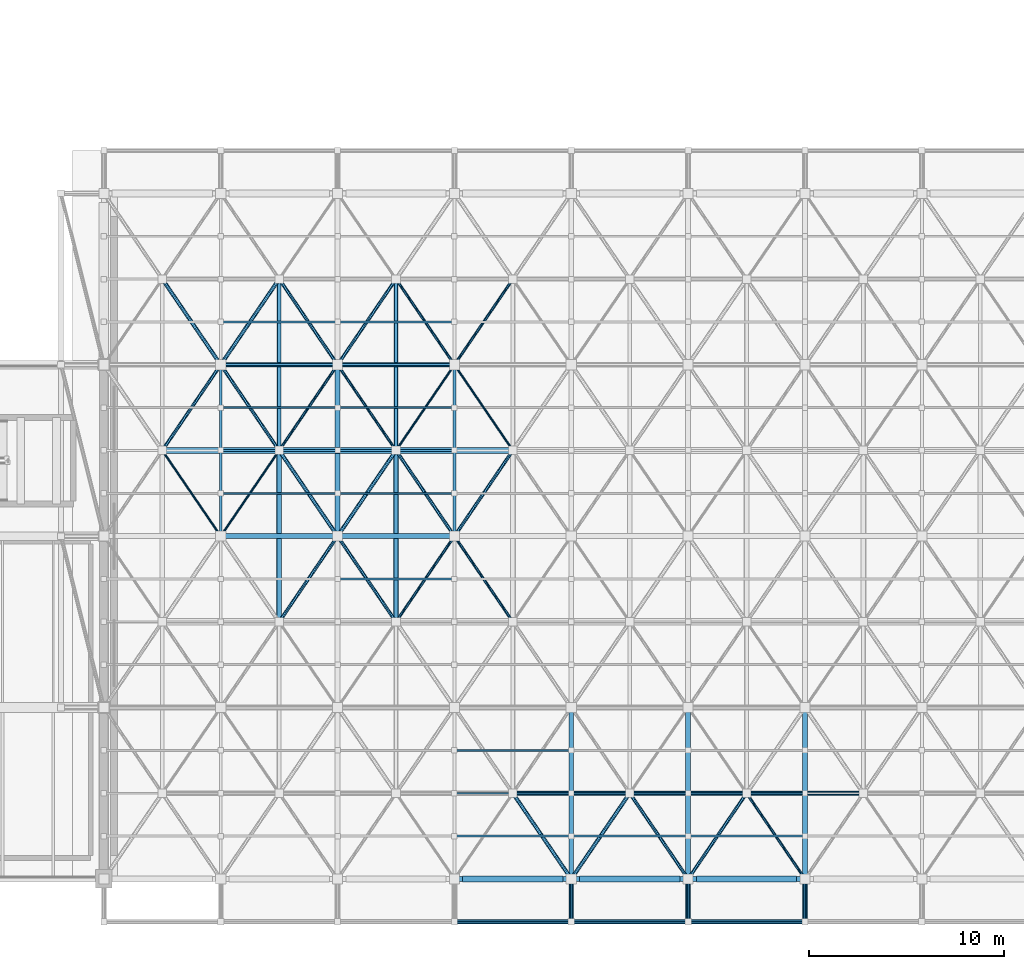
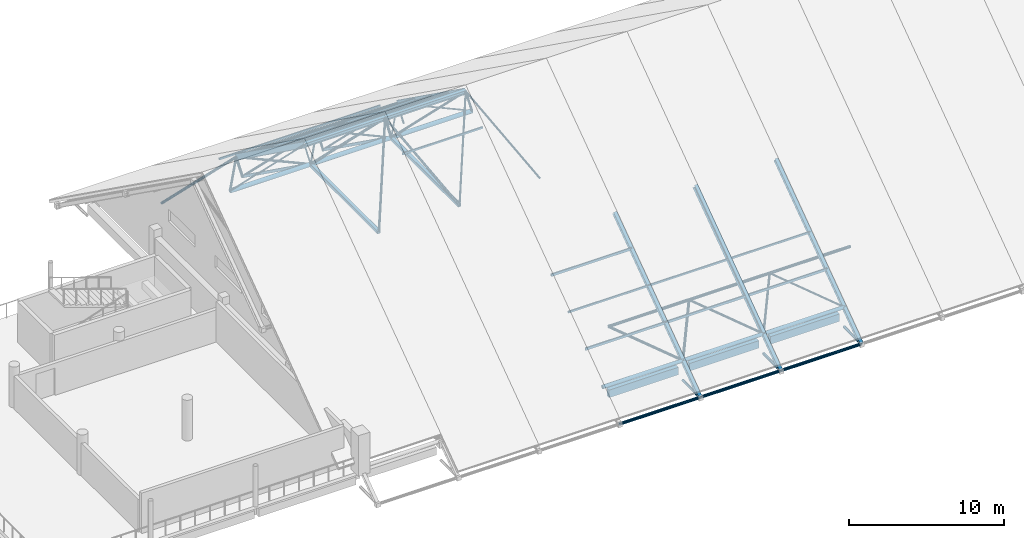
# One storey, part 20 of 55: 75 members, 3 beams.
"""IFC4 building model written with IfcOpenShell, lengths in metres."""

from ifc_helpers import new_model, si_unit, direction, frame, origin, origin_2d, place, context, subcontext, project, spatial, rectangle, hollow_rectangle, hollow_circle, i_section, extrude, material, material_profile, profile_set, type_object, element, save


model = new_model("IFC4")

# Units and contexts
model_context = context("Model", 3, precision=1e-05, world=origin(), true_north=direction((0.0, 1.0)))
body_context = subcontext(model_context, "Body", "Model", "MODEL_VIEW")
ifc_project = project(units=[si_unit("LENGTHUNIT", "METRE"), si_unit("AREAUNIT", "SQUARE_METRE"), si_unit("VOLUMEUNIT", "CUBIC_METRE"), si_unit("PLANEANGLEUNIT", "RADIAN"), si_unit("MASSUNIT", "GRAM", prefix="KILO")], contexts=[model_context])

# Site, building, storey
site_placement = place(None, origin())
site = spatial("IfcSite", under=ifc_project, at=site_placement, CompositionType="ELEMENT")
building_placement = place(site_placement, origin())
building = spatial("IfcBuilding", under=site, at=building_placement, Name="Varnakota Cinema and Media Centre", CompositionType="ELEMENT")
storey_placement = place(building_placement, frame((0.0, 0.0, 15.60009765625)))
storey = spatial("IfcBuildingStorey", under=building, at=storey_placement, Name="L04", CompositionType="ELEMENT", Elevation=15.60009765625)

# Beams
ifc_material_1 = material(Name="Concrete M35", Category="concrete")
ifc_material_profile_1 = material_profile(ifc_material_1, rectangle(XDim=0.300048828125, YDim=0.60009765625, at=origin_2d()), Name="RCB 300x600")
ifc_profile_set_1 = profile_set([ifc_material_profile_1], Name="Concrete M35")
beam_type = type_object("IfcBeamType", Name="BM-SP-300x600", PredefinedType="SPANDREL", material=ifc_profile_set_1)
for number, where, z_axis, x_axis, name in (
    (1, (93.425048828125, 0.0, -0.300048828125), (1.0, 0.0, 0.0), (0.0, 1.0, 0.0), "L04 girder N-P/1"),
    (2, (99.425048828125, 0.0, -0.300048828125), (1.0, 0.0, 0.0), (0.0, 1.0, 0.0), "L04 girder P-Q/1"),
    (3, (105.425048828125, 0.0, -0.300048828125), (1.0, 0.0, 0.0), (0.0, 1.0, 0.0), "L04 girder Q-R/1"),
):
    element("IfcBeam", number, at=place(storey_placement, frame(where, z_axis=z_axis, x_axis=x_axis)), inside=storey, type_object=beam_type, Name=name, PredefinedType="SPANDREL", context=body_context, shape_type="SweptSolid", body=[
        extrude(rectangle(XDim=0.300048828125, YDim=0.60009765625, at=origin_2d()), origin(), (0.0, 0.0, 1.0), 5.14990234375),
    ])

# Members
ifc_material_2 = material(Name="Structural steel S355 (YSt 355)", Category="steel")
ifc_material_profile_2 = material_profile(ifc_material_2, hollow_circle(Radius=0.05712890625, WallThickness=0.00537109375, at=origin_2d()), Name="CHS 114.3x5.4")
ifc_profile_set_2 = profile_set([ifc_material_profile_2], Name="Structural steel S355 (YSt 355)")
member_type_1 = type_object("IfcMemberType", Name="MEM-ST-CHS114_3x5_4", PredefinedType="BRACE", material=ifc_profile_set_2)
for number, where, z_axis, x_axis, name in (
    (4, (78.0, 22.0, 7.64990234375), (0.40117263642, -0.58837347441, 0.702052113734), (0.826221523208, 0.563345359959, 0.0), "V1 space-frame diagonal 1.3.2"),
    (5, (84.0, 22.0, 7.64990234375), (-0.40117263642, -0.58837347441, 0.702052113734), (0.826221523208, -0.563345359959, 0.0), "V1 space-frame diagonal 2.3.1"),
):
    element("IfcMember", number, at=place(storey_placement, frame(where, z_axis=z_axis, x_axis=x_axis)), inside=storey, type_object=member_type_1, Name=name, PredefinedType="BRACE", context=body_context, shape_type="SweptSolid", body=[
        extrude(hollow_circle(Radius=0.05712890625, WallThickness=0.00537109375, at=origin_2d()), origin(), (0.0, 0.0, 1.0), 7.47802734375),
    ])
for number, where, z_axis, x_axis, name in (
    (6, (90.0, 22.0, 7.64990234375), (0.552703271274, 0.810613472892, -0.193455140767), (-0.826221523208, 0.563345359959, 0.0), "V1 space-frame diagonal 3.3.4"),
    (7, (96.0, 22.0, 7.64990234375), (-0.552703271274, 0.810613472892, -0.193455140767), (-0.826221523208, -0.563345359959, 0.0), "V1 space-frame diagonal 4.3.3"),
):
    element("IfcMember", number, at=place(storey_placement, frame(where, z_axis=z_axis, x_axis=x_axis)), inside=storey, type_object=member_type_1, Name=name, PredefinedType="BRACE", context=body_context, shape_type="SweptSolid", body=[
        extrude(hollow_circle(Radius=0.05712890625, WallThickness=0.00537109375, at=origin_2d()), origin(), (0.0, 0.0, 1.0), 5.427978515625),
    ])
ifc_material_3 = material(Name="Structural steel S355 (YSt 355)", Category="steel")
ifc_material_profile_3 = material_profile(ifc_material_3, hollow_circle(Radius=0.06982421875, WallThickness=0.006103515625, at=origin_2d()), Name="CHS 139.7x6.0")
ifc_profile_set_3 = profile_set([ifc_material_profile_3], Name="Structural steel S355 (YSt 355)")
member_type_2 = type_object("IfcMemberType", Name="MEM-ST-CHS139_7x6_0", PredefinedType="CHORD", material=ifc_profile_set_3)
member_1_placement = place(storey_placement, frame((84.0, 22.0, 7.64990234375), z_axis=(0.552703271274, 0.810613472892, -0.193455140767), x_axis=(-0.826221523208, 0.563345359959, 0.0)))
element("IfcMember", 8, at=member_1_placement, inside=storey, type_object=member_type_2, Name="V1 space-frame diagonal 2.3.4", PredefinedType="CHORD", context=body_context, shape_type="SweptSolid", body=[
    extrude(hollow_circle(Radius=0.06982421875, WallThickness=0.006103515625, at=origin_2d()), origin(), (0.0, 0.0, 1.0), 5.427978515625),
])
member_2_placement = place(storey_placement, frame((90.0, 13.199951171875, 7.64990234375), z_axis=(0.40116493033, 0.588394819283, 0.702038628078), x_axis=(-0.826236071711, 0.563324022037, 0.0)))
element("IfcMember", 9, at=member_2_placement, inside=storey, type_object=member_type_2, Name="V1 space-frame diagonal 3.2.4", PredefinedType="CHORD", context=body_context, shape_type="SweptSolid", body=[
    extrude(hollow_circle(Radius=0.06982421875, WallThickness=0.006103515625, at=origin_2d()), origin(), (0.0, 0.0, 1.0), 7.478271484375),
])
member_3_placement = place(storey_placement, frame((90.0, 22.0, 7.64990234375), z_axis=(-0.552703271274, 0.810613472892, -0.193455140767), x_axis=(-0.826221523208, -0.563345359959, 0.0)))
element("IfcMember", 10, at=member_3_placement, inside=storey, type_object=member_type_2, Name="V1 space-frame diagonal 3.3.3", PredefinedType="CHORD", context=body_context, shape_type="SweptSolid", body=[
    extrude(hollow_circle(Radius=0.06982421875, WallThickness=0.006103515625, at=origin_2d()), origin(), (0.0, 0.0, 1.0), 5.427978515625),
])
for number, where, z_axis, x_axis, name in (
    (11, (90.0, 30.800048828125, 1.349853515625), (0.40116493033, -0.588394819283, 0.702038628078), (0.826236071711, 0.563324022037, 0.0), "V1 space-frame diagonal 3.4.2"),
    (12, (96.0, 13.199951171875, 7.64990234375), (-0.40116493033, 0.588394819283, 0.702038628078), (-0.826236071711, -0.563324022037, 0.0), "V1 space-frame diagonal 4.2.3"),
    (13, (96.0, 30.800048828125, 1.349853515625), (-0.40116493033, -0.588394819283, 0.702038628078), (0.826236071711, -0.563324022037, 0.0), "V1 space-frame diagonal 4.4.1"),
):
    element("IfcMember", number, at=place(storey_placement, frame(where, z_axis=z_axis, x_axis=x_axis)), inside=storey, type_object=member_type_2, Name=name, PredefinedType="CHORD", context=body_context, shape_type="SweptSolid", body=[
        extrude(hollow_circle(Radius=0.06982421875, WallThickness=0.006103515625, at=origin_2d()), origin(), (0.0, 0.0, 1.0), 7.478271484375),
    ])
member_4_placement = place(storey_placement, frame((108.0, 4.39990234375, 1.349853515625), z_axis=(0.552703271274, -0.810613472892, -0.193455140767), x_axis=(0.826221523208, 0.563345359959, 0.0)))
element("IfcMember", 14, at=member_4_placement, inside=storey, type_object=member_type_2, Name="V1 space-frame diagonal 6.1.2", PredefinedType="CHORD", context=body_context, shape_type="SweptSolid", body=[
    extrude(hollow_circle(Radius=0.06982421875, WallThickness=0.006103515625, at=origin_2d()), origin(), (0.0, 0.0, 1.0), 5.427978515625),
])
ifc_material_4 = material(Name="Structural steel S355 (YSt 355)", Category="steel")
ifc_material_profile_4 = material_profile(ifc_material_4, hollow_circle(Radius=0.084228515625, WallThickness=0.00634765625, at=origin_2d()), Name="CHS 168.3x6.3")
ifc_profile_set_4 = profile_set([ifc_material_profile_4], Name="Structural steel S355 (YSt 355)")
member_type_3 = type_object("IfcMemberType", Name="MEM-ST-CHS168_3x6_3", PredefinedType="BRACE", material=ifc_profile_set_4)
member_5_placement = place(storey_placement, frame((78.0, 22.0, 7.64990234375), z_axis=(0.552703271274, 0.810613472892, -0.193455140767), x_axis=(-0.826221523208, 0.563345359959, 0.0)))
element("IfcMember", 15, at=member_5_placement, inside=storey, type_object=member_type_3, Name="V1 space-frame diagonal 1.3.4", PredefinedType="BRACE", context=body_context, shape_type="SweptSolid", body=[
    extrude(hollow_circle(Radius=0.084228515625, WallThickness=0.00634765625, at=origin_2d()), origin(), (0.0, 0.0, 1.0), 5.427978515625),
])
member_6_placement = place(storey_placement, frame((84.0, 13.199951171875, 7.64990234375), z_axis=(0.40116493033, 0.588394819283, 0.702038628078), x_axis=(-0.826236071711, 0.563324022037, 0.0)))
element("IfcMember", 16, at=member_6_placement, inside=storey, type_object=member_type_3, Name="V1 space-frame diagonal 2.2.4", PredefinedType="BRACE", context=body_context, shape_type="SweptSolid", body=[
    extrude(hollow_circle(Radius=0.084228515625, WallThickness=0.00634765625, at=origin_2d()), origin(), (0.0, 0.0, 1.0), 7.478271484375),
])
member_7_placement = place(storey_placement, frame((84.0, 22.0, 7.64990234375), z_axis=(-0.552703271274, 0.810613472892, -0.193455140767), x_axis=(-0.826221523208, -0.563345359959, 0.0)))
element("IfcMember", 17, at=member_7_placement, inside=storey, type_object=member_type_3, Name="V1 space-frame diagonal 2.3.3", PredefinedType="BRACE", context=body_context, shape_type="SweptSolid", body=[
    extrude(hollow_circle(Radius=0.084228515625, WallThickness=0.00634765625, at=origin_2d()), origin(), (0.0, 0.0, 1.0), 5.427978515625),
])
for number, where, z_axis, x_axis, name in (
    (18, (84.0, 30.800048828125, 1.349853515625), (0.40116493033, -0.588394819283, 0.702038628078), (0.826236071711, 0.563324022037, 0.0), "V1 space-frame diagonal 2.4.2"),
    (19, (90.0, 13.199951171875, 7.64990234375), (-0.40116493033, 0.588394819283, 0.702038628078), (-0.826236071711, -0.563324022037, 0.0), "V1 space-frame diagonal 3.2.3"),
):
    element("IfcMember", number, at=place(storey_placement, frame(where, z_axis=z_axis, x_axis=x_axis)), inside=storey, type_object=member_type_3, Name=name, PredefinedType="BRACE", context=body_context, shape_type="SweptSolid", body=[
        extrude(hollow_circle(Radius=0.084228515625, WallThickness=0.00634765625, at=origin_2d()), origin(), (0.0, 0.0, 1.0), 7.478271484375),
    ])
member_8_placement = place(storey_placement, frame((90.0, 22.0, 7.64990234375), z_axis=(0.40117263642, -0.58837347441, 0.702052113734), x_axis=(0.826221523208, 0.563345359959, 0.0)))
element("IfcMember", 20, at=member_8_placement, inside=storey, type_object=member_type_3, Name="V1 space-frame diagonal 3.3.2", PredefinedType="BRACE", context=body_context, shape_type="SweptSolid", body=[
    extrude(hollow_circle(Radius=0.084228515625, WallThickness=0.00634765625, at=origin_2d()), origin(), (0.0, 0.0, 1.0), 7.47802734375),
])
member_9_placement = place(storey_placement, frame((90.0, 30.800048828125, 1.349853515625), z_axis=(-0.40116493033, -0.588394819283, 0.702038628078), x_axis=(0.826236071711, -0.563324022037, 0.0)))
element("IfcMember", 21, at=member_9_placement, inside=storey, type_object=member_type_3, Name="V1 space-frame diagonal 3.4.1", PredefinedType="BRACE", context=body_context, shape_type="SweptSolid", body=[
    extrude(hollow_circle(Radius=0.084228515625, WallThickness=0.00634765625, at=origin_2d()), origin(), (0.0, 0.0, 1.0), 7.478271484375),
])
member_10_placement = place(storey_placement, frame((96.0, 22.0, 7.64990234375), z_axis=(-0.40117263642, -0.58837347441, 0.702052113734), x_axis=(0.826221523208, -0.563345359959, 0.0)))
element("IfcMember", 22, at=member_10_placement, inside=storey, type_object=member_type_3, Name="V1 space-frame diagonal 4.3.1", PredefinedType="BRACE", context=body_context, shape_type="SweptSolid", body=[
    extrude(hollow_circle(Radius=0.084228515625, WallThickness=0.00634765625, at=origin_2d()), origin(), (0.0, 0.0, 1.0), 7.47802734375),
])
for number, where, z_axis, x_axis, name in (
    (23, (102.0, 4.39990234375, 1.349853515625), (0.552703271274, -0.810613472892, -0.193455140767), (0.826221523208, 0.563345359959, 0.0), "V1 space-frame diagonal 5.1.2"),
    (24, (108.0, 4.39990234375, 1.349853515625), (-0.552703271274, -0.810613472892, -0.193455140767), (0.826221523208, -0.563345359959, 0.0), "V1 space-frame diagonal 6.1.1"),
):
    element("IfcMember", number, at=place(storey_placement, frame(where, z_axis=z_axis, x_axis=x_axis)), inside=storey, type_object=member_type_3, Name=name, PredefinedType="BRACE", context=body_context, shape_type="SweptSolid", body=[
        extrude(hollow_circle(Radius=0.084228515625, WallThickness=0.00634765625, at=origin_2d()), origin(), (0.0, 0.0, 1.0), 5.427978515625),
    ])
ifc_material_5 = material(Name="Structural steel S355 (YSt 355)", Category="steel")
ifc_material_profile_5 = material_profile(ifc_material_5, hollow_circle(Radius=0.096923828125, WallThickness=0.00634765625, at=origin_2d()), Name="CHS 193.7x6.3")
ifc_profile_set_5 = profile_set([ifc_material_profile_5], Name="Structural steel S355 (YSt 355)")
member_type_4 = type_object("IfcMemberType", Name="MEM-ST-CHS193_7x6_3", PredefinedType="CHORD", material=ifc_profile_set_5)
member_11_placement = place(storey_placement, frame((78.0, 30.800048828125, 1.349853515625), z_axis=(0.40116493033, -0.588394819283, 0.702038628078), x_axis=(0.826236071711, 0.563324022037, 0.0)))
element("IfcMember", 25, at=member_11_placement, inside=storey, type_object=member_type_4, Name="V1 space-frame diagonal 1.4.2", PredefinedType="CHORD", context=body_context, shape_type="SweptSolid", body=[
    extrude(hollow_circle(Radius=0.096923828125, WallThickness=0.00634765625, at=origin_2d()), origin(), (0.0, 0.0, 1.0), 7.478271484375),
])
member_12_placement = place(storey_placement, frame((84.0, 22.0, 7.64990234375), z_axis=(0.40117263642, -0.58837347441, 0.702052113734), x_axis=(0.826221523208, 0.563345359959, 0.0)))
element("IfcMember", 26, at=member_12_placement, inside=storey, type_object=member_type_4, Name="V1 space-frame diagonal 2.3.2", PredefinedType="CHORD", context=body_context, shape_type="SweptSolid", body=[
    extrude(hollow_circle(Radius=0.096923828125, WallThickness=0.00634765625, at=origin_2d()), origin(), (0.0, 0.0, 1.0), 7.47802734375),
])
member_13_placement = place(storey_placement, frame((84.0, 30.800048828125, 1.349853515625), z_axis=(-0.40116493033, -0.588394819283, 0.702038628078), x_axis=(0.826236071711, -0.563324022037, 0.0)))
element("IfcMember", 27, at=member_13_placement, inside=storey, type_object=member_type_4, Name="V1 space-frame diagonal 2.4.1", PredefinedType="CHORD", context=body_context, shape_type="SweptSolid", body=[
    extrude(hollow_circle(Radius=0.096923828125, WallThickness=0.00634765625, at=origin_2d()), origin(), (0.0, 0.0, 1.0), 7.478271484375),
])
member_14_placement = place(storey_placement, frame((90.0, 22.0, 7.64990234375), z_axis=(-0.40117263642, -0.58837347441, 0.702052113734), x_axis=(0.826221523208, -0.563345359959, 0.0)))
element("IfcMember", 28, at=member_14_placement, inside=storey, type_object=member_type_4, Name="V1 space-frame diagonal 3.3.1", PredefinedType="CHORD", context=body_context, shape_type="SweptSolid", body=[
    extrude(hollow_circle(Radius=0.096923828125, WallThickness=0.00634765625, at=origin_2d()), origin(), (0.0, 0.0, 1.0), 7.47802734375),
])
for number, where, z_axis, x_axis, name in (
    (29, (96.0, 4.39990234375, 1.349853515625), (0.552703271274, -0.810613472892, -0.193455140767), (0.826221523208, 0.563345359959, 0.0), "V1 space-frame diagonal 4.1.2"),
    (30, (102.0, 4.39990234375, 1.349853515625), (-0.552703271274, -0.810613472892, -0.193455140767), (0.826221523208, -0.563345359959, 0.0), "V1 space-frame diagonal 5.1.1"),
):
    element("IfcMember", number, at=place(storey_placement, frame(where, z_axis=z_axis, x_axis=x_axis)), inside=storey, type_object=member_type_4, Name=name, PredefinedType="CHORD", context=body_context, shape_type="SweptSolid", body=[
        extrude(hollow_circle(Radius=0.096923828125, WallThickness=0.00634765625, at=origin_2d()), origin(), (0.0, 0.0, 1.0), 5.427978515625),
    ])
for number, where, z_axis, x_axis, name in (
    (31, (99.0, 0.0, -1.25), (0.0, -0.999934678535, -0.01142972721), (1.0, 0.0, 0.0), "V1 space-frame S eave raking strut 5"),
    (32, (105.0, 0.0, -1.25), (0.0, -0.999934678535, -0.01142972721), (1.0, 0.0, 0.0), "V1 space-frame S eave raking strut 6"),
    (33, (111.0, 0.0, -1.25), (0.0, -0.999934678535, -0.01142972721), (1.0, 0.0, 0.0), "V1 space-frame S eave raking strut 7"),
):
    element("IfcMember", number, at=place(storey_placement, frame(where, z_axis=z_axis, x_axis=x_axis)), inside=storey, type_object=member_type_4, Name=name, PredefinedType="CHORD", context=body_context, shape_type="SweptSolid", body=[
        extrude(hollow_circle(Radius=0.096923828125, WallThickness=0.00634765625, at=origin_2d()), origin(), (0.0, 0.0, 1.0), 2.2001953125),
    ])
ifc_material_6 = material(Name="Structural steel S355 (YSt 355)", Category="steel")
ifc_material_profile_6 = material_profile(ifc_material_6, hollow_circle(Radius=0.109619140625, WallThickness=0.008056640625, at=origin_2d()), Name="CHS 219.1x8.0")
ifc_profile_set_6 = profile_set([ifc_material_profile_6], Name="Structural steel S355 (YSt 355)")
member_type_5 = type_object("IfcMemberType", Name="MEM-ST-CHS219_1x8_0", PredefinedType="BRACE", material=ifc_profile_set_6)
for number, where, z_axis, x_axis, name in (
    (34, (96.0, 4.39990234375, 1.349853515625), (1.0, 0.0, 0.0), (0.0, 1.0, 0.0), "V1 bottom longitudinal chord 4.1"),
    (35, (102.0, 4.39990234375, 1.349853515625), (1.0, 0.0, 0.0), (0.0, 1.0, 0.0), "V1 bottom longitudinal chord 5.1"),
    (36, (108.0, 4.39990234375, 1.349853515625), (1.0, 0.0, 0.0), (0.0, 1.0, 0.0), "V1 bottom longitudinal chord 6.1"),
    (37, (93.0, -2.199951171875, -1.275146484375), (1.0, 0.0, 0.0), (0.0, 1.0, 0.0), "V1 S eave fascia chord 4"),
    (38, (99.0, -2.199951171875, -1.275146484375), (1.0, 0.0, 0.0), (0.0, 1.0, 0.0), "V1 S eave fascia chord 5"),
    (39, (105.0, -2.199951171875, -1.275146484375), (1.0, 0.0, 0.0), (0.0, 1.0, 0.0), "V1 S eave fascia chord 6"),
):
    element("IfcMember", number, at=place(storey_placement, frame(where, z_axis=z_axis, x_axis=x_axis)), inside=storey, type_object=member_type_5, Name=name, PredefinedType="BRACE", context=body_context, shape_type="SweptSolid", body=[
        extrude(hollow_circle(Radius=0.109619140625, WallThickness=0.008056640625, at=origin_2d()), origin(), (0.0, 0.0, 1.0), 6.0),
    ])
ifc_material_7 = material(Name="Structural steel S355 (YSt 355)", Category="steel")
ifc_material_profile_7 = material_profile(ifc_material_7, hollow_circle(Radius=0.122314453125, WallThickness=0.008056640625, at=origin_2d()), Name="CHS 244.5x8.0")
ifc_profile_set_7 = profile_set([ifc_material_profile_7], Name="Structural steel S355 (YSt 355)")
member_type_6 = type_object("IfcMemberType", Name="MEM-ST-CHS244_5x8_0", PredefinedType="CHORD", material=ifc_profile_set_7)
for number, where, z_axis, x_axis, name in (
    (40, (81.0, 26.39990234375, 6.599853515625), (1.0, 0.0, 0.0), (0.0, 1.0, 0.0), "V1 top longitudinal chord 2.4"),
    (41, (87.0, 26.39990234375, 6.599853515625), (1.0, 0.0, 0.0), (0.0, 1.0, 0.0), "V1 top longitudinal chord 3.4"),
):
    element("IfcMember", number, at=place(storey_placement, frame(where, z_axis=z_axis, x_axis=x_axis)), inside=storey, type_object=member_type_6, Name=name, PredefinedType="CHORD", context=body_context, shape_type="SweptSolid", body=[
        extrude(hollow_circle(Radius=0.122314453125, WallThickness=0.008056640625, at=origin_2d()), origin(), (0.0, 0.0, 1.0), 6.0),
    ])
ifc_material_8 = material(Name="Structural steel S355 (YSt 355)", Category="steel")
ifc_material_profile_8 = material_profile(ifc_material_8, hollow_circle(Radius=0.136474609375, WallThickness=0.010009765625, at=origin_2d()), Name="CHS 273.0x10.0")
ifc_profile_set_8 = profile_set([ifc_material_profile_8], Name="Structural steel S355 (YSt 355)")
member_type_7 = type_object("IfcMemberType", Name="MEM-ST-CHS273_0x10_0", PredefinedType="BRACE", material=ifc_profile_set_8)
for number, where, z_axis, x_axis, name in (
    (42, (93.0, 0.0, 0.2998046875), (1.0, 0.0, 0.0), (0.0, 1.0, 0.0), "V1 top longitudinal chord 4.1"),
    (43, (99.0, 0.0, 0.2998046875), (1.0, 0.0, 0.0), (0.0, 1.0, 0.0), "V1 top longitudinal chord 5.1"),
    (44, (105.0, 0.0, 0.2998046875), (1.0, 0.0, 0.0), (0.0, 1.0, 0.0), "V1 top longitudinal chord 6.1"),
):
    element("IfcMember", number, at=place(storey_placement, frame(where, z_axis=z_axis, x_axis=x_axis)), inside=storey, type_object=member_type_7, Name=name, PredefinedType="BRACE", context=body_context, shape_type="SweptSolid", body=[
        extrude(hollow_circle(Radius=0.136474609375, WallThickness=0.010009765625, at=origin_2d()), origin(), (0.0, 0.0, 1.0), 6.0),
    ])
ifc_material_9 = material(Name="Structural steel S355 (YSt 355)", Category="steel")
ifc_material_profile_9 = material_profile(ifc_material_9, hollow_circle(Radius=0.161865234375, WallThickness=0.010009765625, at=origin_2d()), Name="CHS 323.9x10.0")
ifc_profile_set_9 = profile_set([ifc_material_profile_9], Name="Structural steel S355 (YSt 355)")
member_type_8 = type_object("IfcMemberType", Name="MEM-ST-CHS323_9x10_0", PredefinedType="CHORD", material=ifc_profile_set_9)
for number, where, z_axis, x_axis, name in (
    (45, (78.0, 22.0, 7.64990234375), (1.0, 0.0, 0.0), (0.0, 1.0, 0.0), "V1 bottom longitudinal chord 1.3"),
    (46, (84.0, 22.0, 7.64990234375), (1.0, 0.0, 0.0), (0.0, 1.0, 0.0), "V1 bottom longitudinal chord 2.3"),
    (47, (90.0, 22.0, 7.64990234375), (1.0, 0.0, 0.0), (0.0, 1.0, 0.0), "V1 bottom longitudinal chord 3.3"),
):
    element("IfcMember", number, at=place(storey_placement, frame(where, z_axis=z_axis, x_axis=x_axis)), inside=storey, type_object=member_type_8, Name=name, PredefinedType="CHORD", context=body_context, shape_type="SweptSolid", body=[
        extrude(hollow_circle(Radius=0.161865234375, WallThickness=0.010009765625, at=origin_2d()), origin(), (0.0, 0.0, 1.0), 6.0),
    ])
ifc_material_10 = material(Name="Structural steel Grade 350 (E350)", Category="steel")
ifc_material_profile_10 = material_profile(ifc_material_10, i_section(OverallWidth=0.25, OverallDepth=0.25, WebThickness=0.0087890625, FlangeThickness=0.009765625, FilletRadius=0.010009765625, at=origin_2d()), Name="ISHB 250")
ifc_profile_set_10 = profile_set([ifc_material_profile_10], Name="Structural steel Grade 350 (E350)")
member_type_9 = type_object("IfcMemberType", Name="MEM-ST-ISHB250", PredefinedType="CHORD", material=ifc_profile_set_10)
member_15_placement = place(storey_placement, frame((87.0, 17.60009765625, 12.89990234375), z_axis=(0.0, 0.813100435345, -0.582123425093), x_axis=(-1.0, 0.0, 0.0)))
element("IfcMember", 48, at=member_15_placement, inside=storey, type_object=member_type_9, Name="V1 top transverse chord 3.3", PredefinedType="CHORD", context=body_context, shape_type="SweptSolid", body=[
    extrude(i_section(OverallWidth=0.25, OverallDepth=0.25, WebThickness=0.0087890625, FlangeThickness=0.009765625, FilletRadius=0.010009765625, at=origin_2d()), origin(), (0.0, 0.0, 1.0), 10.822509765625),
])
for number, where, z_axis, x_axis, name in (
    (49, (99.0, 0.0, 0.2998046875), (0.0, 0.813108079498, 0.582112747717), (-1.0, 0.0, 0.0), "V1 top transverse chord 5.1"),
    (50, (111.0, 0.0, 0.2998046875), (0.0, 0.813108079498, 0.582112747717), (-1.0, 0.0, 0.0), "V1 top transverse chord 7.1"),
):
    element("IfcMember", number, at=place(storey_placement, frame(where, z_axis=z_axis, x_axis=x_axis)), inside=storey, type_object=member_type_9, Name=name, PredefinedType="CHORD", context=body_context, shape_type="SweptSolid", body=[
        extrude(i_section(OverallWidth=0.25, OverallDepth=0.25, WebThickness=0.0087890625, FlangeThickness=0.009765625, FilletRadius=0.010009765625, at=origin_2d()), origin(), (0.0, 0.0, 1.0), 10.82275390625),
    ])
for number, where, z_axis, x_axis, name in (
    (51, (99.0, 0.0, 0.2998046875), (0.0, -0.81311111287, -0.582108510612), (1.0, 0.0, 0.0), "V1 space-frame S eave overhang rafter 5"),
    (52, (105.0, 0.0, 0.2998046875), (0.0, -0.81311111287, -0.582108510612), (1.0, 0.0, 0.0), "V1 space-frame S eave overhang rafter 6"),
    (53, (111.0, 0.0, 0.2998046875), (0.0, -0.81311111287, -0.582108510612), (1.0, 0.0, 0.0), "V1 space-frame S eave overhang rafter 7"),
):
    element("IfcMember", number, at=place(storey_placement, frame(where, z_axis=z_axis, x_axis=x_axis)), inside=storey, type_object=member_type_9, Name=name, PredefinedType="CHORD", context=body_context, shape_type="SweptSolid", body=[
        extrude(i_section(OverallWidth=0.25, OverallDepth=0.25, WebThickness=0.0087890625, FlangeThickness=0.009765625, FilletRadius=0.010009765625, at=origin_2d()), origin(), (0.0, 0.0, 1.0), 2.70556640625),
    ])
ifc_material_11 = material(Name="Structural steel Grade 350 (E350)", Category="steel")
ifc_material_profile_11 = material_profile(ifc_material_11, i_section(OverallWidth=0.25, OverallDepth=0.300048828125, WebThickness=0.009521484375, FlangeThickness=0.010498046875, FilletRadius=0.010986328125, at=origin_2d()), Name="ISHB 300")
ifc_profile_set_11 = profile_set([ifc_material_profile_11], Name="Structural steel Grade 350 (E350)")
member_type_10 = type_object("IfcMemberType", Name="MEM-ST-ISHB300", PredefinedType="CHORD", material=ifc_profile_set_11)
for number, where, z_axis, x_axis, name in (
    (54, (81.0, 17.60009765625, 12.89990234375), (1.0, 0.0, 0.0), (0.0, 1.0, 0.0), "V1 top longitudinal chord 2.3"),
    (55, (87.0, 17.60009765625, 12.89990234375), (1.0, 0.0, 0.0), (0.0, 1.0, 0.0), "V1 top longitudinal chord 3.3"),
):
    element("IfcMember", number, at=place(storey_placement, frame(where, z_axis=z_axis, x_axis=x_axis)), inside=storey, type_object=member_type_10, Name=name, PredefinedType="CHORD", context=body_context, shape_type="SweptSolid", body=[
        extrude(i_section(OverallWidth=0.25, OverallDepth=0.300048828125, WebThickness=0.009521484375, FlangeThickness=0.010498046875, FilletRadius=0.010986328125, at=origin_2d()), origin(), (0.0, 0.0, 1.0), 6.0),
    ])
ifc_material_12 = material(Name="Structural steel Grade 350 (E350)", Category="steel")
ifc_material_profile_12 = material_profile(ifc_material_12, i_section(OverallWidth=0.25, OverallDepth=0.39990234375, WebThickness=0.010498046875, FlangeThickness=0.0126953125, FilletRadius=0.011962890625, at=origin_2d()), Name="ISHB 400")
ifc_profile_set_12 = profile_set([ifc_material_profile_12], Name="Structural steel Grade 350 (E350)")
member_type_11 = type_object("IfcMemberType", Name="MEM-ST-ISHB400", PredefinedType="CHORD", material=ifc_profile_set_12)
member_16_placement = place(storey_placement, frame((105.0, 0.0, 0.2998046875), z_axis=(0.0, 0.813108079498, 0.582112747717), x_axis=(-1.0, 0.0, 0.0)))
element("IfcMember", 56, at=member_16_placement, inside=storey, type_object=member_type_11, Name="V1 top transverse chord 6.1", PredefinedType="CHORD", context=body_context, shape_type="SweptSolid", body=[
    extrude(i_section(OverallWidth=0.25, OverallDepth=0.39990234375, WebThickness=0.010498046875, FlangeThickness=0.0126953125, FilletRadius=0.011962890625, at=origin_2d()), origin(), (0.0, 0.0, 1.0), 10.82275390625),
])
ifc_material_13 = material(Name="Structural steel Grade 350 (E350)", Category="steel")
ifc_material_profile_13 = material_profile(ifc_material_13, i_section(OverallWidth=0.14990234375, OverallDepth=0.449951171875, WebThickness=0.009521484375, FlangeThickness=0.017333984375, FilletRadius=0.014892578125, at=origin_2d()), Name="ISMB 450")
ifc_profile_set_13 = profile_set([ifc_material_profile_13], Name="Structural steel Grade 350 (E350)")
member_type_12 = type_object("IfcMemberType", Name="MEM-ST-ISMB450", PredefinedType="RAFTER", material=ifc_profile_set_13)
for number, where, z_axis, x_axis, name in (
    (57, (81.0, 17.60009765625, 12.89990234375), (0.0, 0.813100435345, -0.582123425093), (-1.0, 0.0, 0.0), "V1 top transverse chord 2.3"),
    (58, (93.0, 17.60009765625, 12.89990234375), (0.0, 0.813100435345, -0.582123425093), (-1.0, 0.0, 0.0), "V1 top transverse chord 4.3"),
):
    element("IfcMember", number, at=place(storey_placement, frame(where, z_axis=z_axis, x_axis=x_axis)), inside=storey, type_object=member_type_12, Name=name, PredefinedType="RAFTER", context=body_context, shape_type="SweptSolid", body=[
        extrude(i_section(OverallWidth=0.14990234375, OverallDepth=0.449951171875, WebThickness=0.009521484375, FlangeThickness=0.017333984375, FilletRadius=0.014892578125, at=origin_2d()), origin(), (0.0, 0.0, 1.0), 10.822509765625),
    ])
ifc_material_14 = material(Name="Structural steel S355 (YSt 355)", Category="steel")
ifc_material_profile_14 = material_profile(ifc_material_14, hollow_rectangle(XDim=0.10009765625, YDim=0.14990234375, WallThickness=0.006103515625, InnerFilletRadius=0.006103515625, OuterFilletRadius=0.011962890625, at=origin_2d()), Name="RHS 150x100x6")
ifc_profile_set_14 = profile_set([ifc_material_profile_14], Name="Structural steel S355 (YSt 355)")
member_type_13 = type_object("IfcMemberType", Name="MEM-ST-RHS150x100x6", PredefinedType="PURLIN", material=ifc_profile_set_14)
for number, where, z_axis, x_axis, name in (
    (59, (93.0, 4.39990234375, 3.52978515625), (1.0, 0.0, 0.0), (0.0, 1.0, 0.0), "V1 roof purlin 2.4"),
    (60, (99.0, 4.39990234375, 3.52978515625), (1.0, 0.0, 0.0), (0.0, 1.0, 0.0), "V1 roof purlin 2.5"),
    (61, (105.0, 4.39990234375, 3.52978515625), (1.0, 0.0, 0.0), (0.0, 1.0, 0.0), "V1 roof purlin 2.6"),
    (62, (87.0, 15.39990234375, 11.40478515625), (1.0, 0.0, 0.0), (0.0, 1.0, 0.0), "V1 roof purlin 6.3"),
    (63, (81.0, 22.0, 9.829833984375), (1.0, 0.0, 0.0), (0.0, 1.0, 0.0), "V1 roof purlin 8.2"),
    (64, (87.0, 22.0, 9.829833984375), (1.0, 0.0, 0.0), (0.0, 1.0, 0.0), "V1 roof purlin 8.3"),
    (65, (81.0, 28.60009765625, 5.10498046875), (1.0, 0.0, 0.0), (0.0, 1.0, 0.0), "V1 roof purlin 10.2"),
    (66, (87.0, 28.60009765625, 5.10498046875), (1.0, 0.0, 0.0), (0.0, 1.0, 0.0), "V1 roof purlin 10.3"),
):
    element("IfcMember", number, at=place(storey_placement, frame(where, z_axis=z_axis, x_axis=x_axis)), inside=storey, type_object=member_type_13, Name=name, PredefinedType="PURLIN", context=body_context, shape_type="SweptSolid", body=[
        extrude(hollow_rectangle(XDim=0.10009765625, YDim=0.14990234375, WallThickness=0.006103515625, InnerFilletRadius=0.006103515625, OuterFilletRadius=0.011962890625, at=origin_2d()), origin(), (0.0, 0.0, 1.0), 6.0),
    ])
ifc_material_15 = material(Name="Structural steel S355 (YSt 355)", Category="steel")
ifc_material_profile_15 = material_profile(ifc_material_15, hollow_rectangle(XDim=0.10009765625, YDim=0.199951171875, WallThickness=0.006103515625, InnerFilletRadius=0.006103515625, OuterFilletRadius=0.011962890625, at=origin_2d()), Name="RHS 200x100x6")
ifc_profile_set_15 = profile_set([ifc_material_profile_15], Name="Structural steel S355 (YSt 355)")
member_type_14 = type_object("IfcMemberType", Name="MEM-ST-RHS200x100x6", PredefinedType="PURLIN", material=ifc_profile_set_15)
for number, where, z_axis, x_axis, name in (
    (67, (93.0, 2.199951171875, 1.954833984375), (1.0, 0.0, 0.0), (0.0, 1.0, 0.0), "V1 roof purlin 1.4"),
    (68, (99.0, 2.199951171875, 1.954833984375), (1.0, 0.0, 0.0), (0.0, 1.0, 0.0), "V1 roof purlin 1.5"),
    (69, (105.0, 2.199951171875, 1.954833984375), (1.0, 0.0, 0.0), (0.0, 1.0, 0.0), "V1 roof purlin 1.6"),
    (70, (93.0, 6.60009765625, 5.10498046875), (1.0, 0.0, 0.0), (0.0, 1.0, 0.0), "V1 roof purlin 3.4"),
    (71, (81.0, 19.800048828125, 11.40478515625), (1.0, 0.0, 0.0), (0.0, 1.0, 0.0), "V1 roof purlin 7.2"),
    (72, (87.0, 19.800048828125, 11.40478515625), (1.0, 0.0, 0.0), (0.0, 1.0, 0.0), "V1 roof purlin 7.3"),
    (73, (81.0, 24.199951171875, 8.2548828125), (1.0, 0.0, 0.0), (0.0, 1.0, 0.0), "V1 roof purlin 9.2"),
    (74, (87.0, 24.199951171875, 8.2548828125), (1.0, 0.0, 0.0), (0.0, 1.0, 0.0), "V1 roof purlin 9.3"),
):
    element("IfcMember", number, at=place(storey_placement, frame(where, z_axis=z_axis, x_axis=x_axis)), inside=storey, type_object=member_type_14, Name=name, PredefinedType="PURLIN", context=body_context, shape_type="SweptSolid", body=[
        extrude(hollow_rectangle(XDim=0.10009765625, YDim=0.199951171875, WallThickness=0.006103515625, InnerFilletRadius=0.006103515625, OuterFilletRadius=0.011962890625, at=origin_2d()), origin(), (0.0, 0.0, 1.0), 6.0),
    ])
ifc_material_16 = material(Name="Structural steel S355 (YSt 355)", Category="steel")
ifc_material_profile_16 = material_profile(ifc_material_16, hollow_rectangle(XDim=0.199951171875, YDim=0.199951171875, WallThickness=0.010009765625, InnerFilletRadius=0.010009765625, OuterFilletRadius=0.02001953125, at=origin_2d()), Name="SHS 200x200x10")
ifc_profile_set_16 = profile_set([ifc_material_profile_16], Name="Structural steel S355 (YSt 355)")
member_type_15 = type_object("IfcMemberType", Name="MEM-ST-SHS200x200x10", PredefinedType="STRUT", material=ifc_profile_set_16)
for number, where, z_axis, x_axis, name in (
    (75, (84.0, 22.0, 7.64990234375), (0.0, 0.813108079498, -0.582112747717), (-1.0, 0.0, 0.0), "V1 bottom transverse chord 2.3"),
    (76, (90.0, 22.0, 7.64990234375), (0.0, 0.813108079498, -0.582112747717), (-1.0, 0.0, 0.0), "V1 bottom transverse chord 3.3"),
):
    element("IfcMember", number, at=place(storey_placement, frame(where, z_axis=z_axis, x_axis=x_axis)), inside=storey, type_object=member_type_15, Name=name, PredefinedType="STRUT", context=body_context, shape_type="SweptSolid", body=[
        extrude(hollow_rectangle(XDim=0.199951171875, YDim=0.199951171875, WallThickness=0.010009765625, InnerFilletRadius=0.010009765625, OuterFilletRadius=0.02001953125, at=origin_2d()), origin(), (0.0, 0.0, 1.0), 10.82275390625),
    ])
ifc_material_17 = material(Name="Structural steel S355 (YSt 355)", Category="steel")
ifc_material_profile_17 = material_profile(ifc_material_17, hollow_rectangle(XDim=0.25, YDim=0.25, WallThickness=0.010009765625, InnerFilletRadius=0.010009765625, OuterFilletRadius=0.02001953125, at=origin_2d()), Name="SHS 250x250x10")
ifc_profile_set_17 = profile_set([ifc_material_profile_17], Name="Structural steel S355 (YSt 355)")
member_type_16 = type_object("IfcMemberType", Name="MEM-ST-SHS250x250x10", PredefinedType="STRUT", material=ifc_profile_set_17)
for number, where, z_axis, x_axis, name in (
    (77, (84.0, 13.199951171875, 7.64990234375), (0.0, 1.0, 0.0), (-1.0, 0.0, 0.0), "V1 bottom transverse chord 2.2"),
    (78, (90.0, 13.199951171875, 7.64990234375), (0.0, 1.0, 0.0), (-1.0, 0.0, 0.0), "V1 bottom transverse chord 3.2"),
):
    element("IfcMember", number, at=place(storey_placement, frame(where, z_axis=z_axis, x_axis=x_axis)), inside=storey, type_object=member_type_16, Name=name, PredefinedType="STRUT", context=body_context, shape_type="SweptSolid", body=[
        extrude(hollow_rectangle(XDim=0.25, YDim=0.25, WallThickness=0.010009765625, InnerFilletRadius=0.010009765625, OuterFilletRadius=0.02001953125, at=origin_2d()), origin(), (0.0, 0.0, 1.0), 8.800048828125),
    ])

save(model, "model.ifc")
